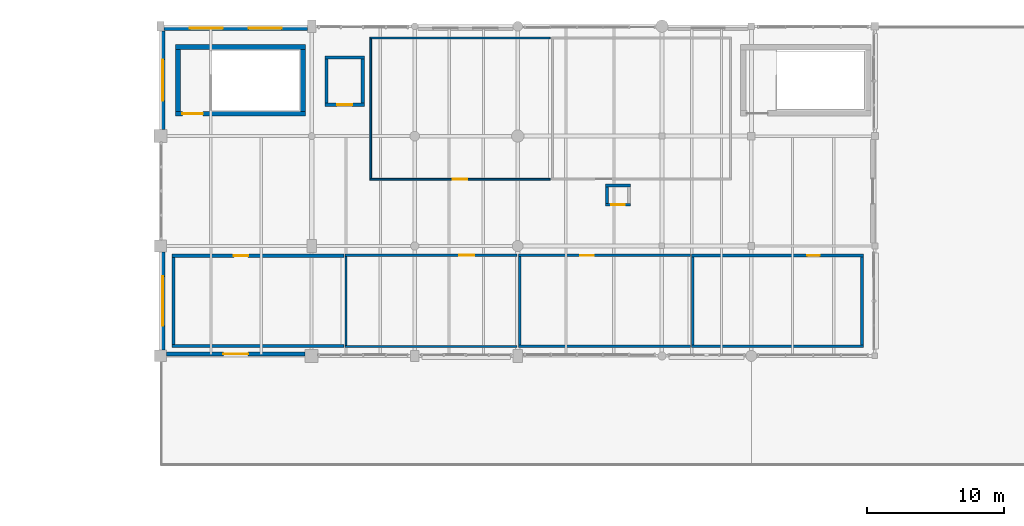
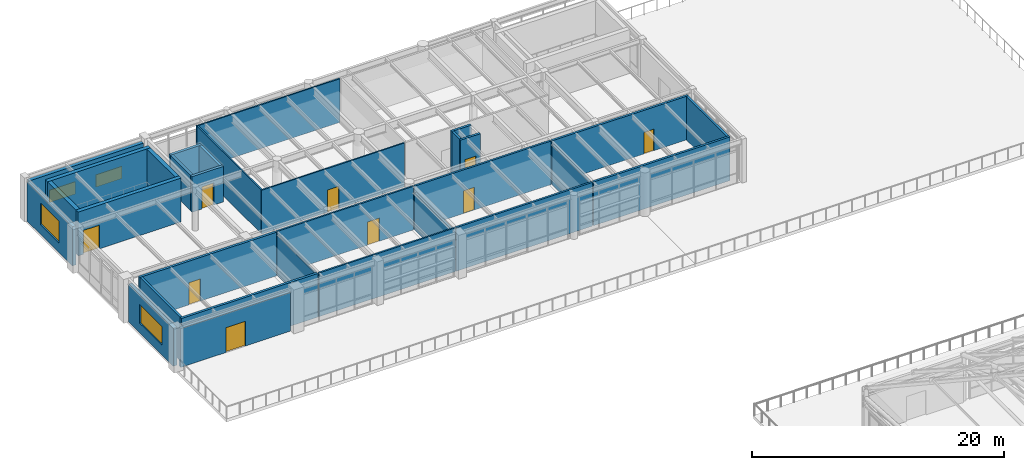
# One storey, part 152 of 168: 31 walls, 9 doors, 4 windows, 13 openings.
"""IFC4 building model written with IfcOpenShell, lengths in metres."""

import ifcopenshell
import ifcopenshell.guid

model = None  # the IFC model being written
_history = None  # IfcOwnerHistory: only IFC2X3 demands one
_inside = {}  # id of a spatial element -> (the spatial element, [elements in it])
_under = {}  # id of a project, library or spatial element -> (it, [spatial elements below it])
_declared = {}  # id of a project -> (the project, [libraries it declares])
_typed = {}  # id of a type object -> (the type object, [elements of that type])
_made_of = {}  # id of a material, layer set ... -> (it, [elements and type objects made of it])


def new_model(schema):
    """Start an empty IFC model of exactly this schema.

    Asked for "IFC4X3", IfcOpenShell would pick the latest addendum, in which some entities
    have other attributes; the version numbers below select the first issue.
    IFC2X3 requires an IfcOwnerHistory on every rooted entity: one is made here for all.
    """
    global model, _history
    if schema == "IFC4X3":
        model = ifcopenshell.file(schema_version=(4, 3, 0, 0))
    else:
        model = ifcopenshell.file(schema=schema)
    _inside.clear()
    _under.clear()
    _declared.clear()
    _typed.clear()
    _made_of.clear()
    _history = None
    if model.schema == "IFC2X3":
        org = make("IfcOrganization", Name="unknown")
        user = make(
            "IfcPersonAndOrganization",
            ThePerson=make("IfcPerson", FamilyName="unknown"),
            TheOrganization=org,
        )
        app = make(
            "IfcApplication",
            ApplicationDeveloper=org,
            Version="unknown",
            ApplicationFullName="unknown",
            ApplicationIdentifier="unknown",
        )
        _history = make(
            "IfcOwnerHistory",
            OwningUser=user,
            OwningApplication=app,
            ChangeAction="ADDED",
            CreationDate=0,
        )
    return model


def make(cls, **values):
    """One entity of the class cls with the attributes given. An attribute that is None is left unset."""
    return model.create_entity(
        cls, **{name: value for name, value in values.items() if value is not None}
    )


def rooted(cls, **values):
    """An entity with a GlobalId (a new one), such as an element, a storey or a relation."""
    return make(cls, GlobalId=ifcopenshell.guid.new(), OwnerHistory=_history, **values)


def si_unit(unit_type, name, prefix=None):
    """IfcSIUnit, for example si_unit("LENGTHUNIT", "METRE", prefix="MILLI")."""
    return make("IfcSIUnit", UnitType=unit_type, Prefix=prefix, Name=name)


def assignment(units):
    """IfcUnitAssignment: the units of a project."""
    return None if units is None else make("IfcUnitAssignment", Units=units)


def point(xyz):
    """IfcCartesianPoint."""
    return None if xyz is None else make("IfcCartesianPoint", Coordinates=xyz)


def direction(xyz):
    """IfcDirection."""
    return None if xyz is None else make("IfcDirection", DirectionRatios=xyz)


def frame(location, z_axis=None, x_axis=None):
    """IfcAxis2Placement3D, a coordinate frame: its origin and axes. An axis left out is left unset."""
    return make(
        "IfcAxis2Placement3D",
        Location=point(location),
        Axis=direction(z_axis),
        RefDirection=direction(x_axis),
    )


def frame_2d(location, x_axis=None):
    """IfcAxis2Placement2D, a coordinate frame in the plane: its origin and x axis."""
    return make(
        "IfcAxis2Placement2D", Location=point(location), RefDirection=direction(x_axis)
    )


def origin():
    """The frame at (0, 0, 0) with its axes left unset."""
    return frame((0.0, 0.0, 0.0))


def place(relative_to, where):
    """IfcLocalPlacement: puts the frame where relative to a parent placement (None: the world)."""
    return make(
        "IfcLocalPlacement", PlacementRelTo=relative_to, RelativePlacement=where
    )


def context(
    kind, dimensions, precision=None, world=None, true_north=None, identifier=None
):
    """IfcGeometricRepresentationContext, for example the 3D "Model" context."""
    return make(
        "IfcGeometricRepresentationContext",
        ContextIdentifier=identifier,
        ContextType=kind,
        CoordinateSpaceDimension=dimensions,
        Precision=precision,
        WorldCoordinateSystem=world,
        TrueNorth=true_north,
    )


def subcontext(parent, identifier, kind, view, scale=None):
    """IfcGeometricRepresentationSubContext, for example "Body" below "Model"."""
    return make(
        "IfcGeometricRepresentationSubContext",
        ContextIdentifier=identifier,
        ContextType=kind,
        ParentContext=parent,
        TargetScale=scale,
        TargetView=view,
    )


def project(units=None, contexts=None):
    """IfcProject with its units and contexts."""
    return rooted(
        "IfcProject",
        Name="project",
        RepresentationContexts=contexts,
        UnitsInContext=assignment(units),
    )


def spatial(cls, under=None, at=None, **own):
    """A site, building, storey or space (cls), placed at a placement, below another one or the project."""
    s = rooted(cls, ObjectPlacement=at, **own)
    if under is not None:
        _under.setdefault(under.id(), (under, []))[1].append(s)
    return s


def profile(cls, at=None, kind="AREA", **sizes):
    """A parametric profile (cls). Its sizes go by their IFC names, for example OverallWidth=200.0."""
    return make(cls, ProfileType=kind, Position=at, **sizes)


def rectangle(**sizes):
    """IfcRectangleProfileDef."""
    return profile("IfcRectangleProfileDef", **sizes)


def extrude(swept, where, along, depth):
    """IfcExtrudedAreaSolid: the profile swept, set in the frame where, extruded along a direction by depth."""
    return make(
        "IfcExtrudedAreaSolid",
        SweptArea=swept,
        Position=where,
        ExtrudedDirection=direction(along),
        Depth=depth,
    )


def shape(context_of_items, identifier, shape_type, items):
    """IfcShapeRepresentation: the items that make up one representation, for example the "Body"."""
    return make(
        "IfcShapeRepresentation",
        ContextOfItems=context_of_items,
        RepresentationIdentifier=identifier,
        RepresentationType=shape_type,
        Items=items,
    )


def material(Name=None, Category=None):
    """IfcMaterial."""
    return make("IfcMaterial", Name=Name, Category=Category)


def layer(
    of_material, thickness, ventilated=None, Name=None, Category=None, Priority=None
):
    """IfcMaterialLayer: one layer of a wall or slab, of a material (None: an air gap)."""
    return make(
        "IfcMaterialLayer",
        Material=of_material,
        LayerThickness=thickness,
        IsVentilated=ventilated,
        Name=Name,
        Category=Category,
        Priority=Priority,
    )


def layer_set(layers, Name=None):
    """IfcMaterialLayerSet."""
    return make("IfcMaterialLayerSet", MaterialLayers=layers, LayerSetName=Name)


def made_of(thing, what):
    """Note that an element or type object is made of a material, layer set ...; save() writes the relation."""
    if what is not None:
        _made_of.setdefault(what.id(), (what, []))[1].append(thing)
    return thing


def type_object(cls, material=None, **own):
    """A type object (cls), such as IfcWallType, which elements share."""
    return made_of(rooted(cls, **own), material)


def element(
    cls,
    number,
    at=None,
    inside=None,
    cuts=None,
    type_object=None,
    material=None,
    context=None,
    identifier="Body",
    shape_type=None,
    held_by="IfcProductDefinitionShape",
    body=None,
    shapes=None,
    **own,
):
    """One element of the class cls, such as IfcWall. Its Tag is "e" and its number.

    at: its placement. inside: the storey or other place that contains it. cuts: it is an
    opening in that element (IfcRelVoidsElement). A single representation is given by context,
    identifier, shape_type and body (its items); several are given by shapes. held_by: the class
    of the entity that holds the representations. save() writes the other relations.
    """
    e = rooted(cls, Tag="e%d" % number, ObjectPlacement=at, **own)
    if body is not None:
        shapes = [shape(context, identifier, shape_type, body)]
    if shapes is not None:
        e.Representation = make(held_by, Representations=shapes)
    if inside is not None:
        _inside.setdefault(inside.id(), (inside, []))[1].append(e)
    if cuts is not None:
        rooted(
            "IfcRelVoidsElement", RelatingBuildingElement=cuts, RelatedOpeningElement=e
        )
    if type_object is not None:
        _typed.setdefault(type_object.id(), (type_object, []))[1].append(e)
    return made_of(e, material)


def fill(opening, filler):
    """IfcRelFillsElement: the door or window that sits in an opening."""
    return rooted(
        "IfcRelFillsElement",
        RelatingOpeningElement=opening,
        RelatedBuildingElement=filler,
    )


def aggregate(whole, parts):
    """IfcRelAggregates: a whole, such as a stair, and the parts it consists of."""
    return rooted("IfcRelAggregates", RelatingObject=whole, RelatedObjects=parts)


def save(model, path):
    """Write the relations noted so far, then the file.

    IfcRelAggregates (storeys below a building ...), IfcRelContainedInSpatialStructure (elements
    in a storey), IfcRelDefinesByType, IfcRelAssociatesMaterial and IfcRelDeclares: one each for
    every whole, place, type object, material and project.
    """
    for whole, parts in _under.values():
        aggregate(whole, parts)
    for where, things in _inside.values():
        rooted(
            "IfcRelContainedInSpatialStructure",
            RelatedElements=things,
            RelatingStructure=where,
        )
    for kind, things in _typed.values():
        rooted("IfcRelDefinesByType", RelatedObjects=things, RelatingType=kind)
    for what, things in _made_of.values():
        rooted("IfcRelAssociatesMaterial", RelatedObjects=things, RelatingMaterial=what)
    for by, libraries in _declared.values():
        rooted("IfcRelDeclares", RelatingContext=by, RelatedDefinitions=libraries)
    model.write(path)


model = new_model("IFC4")

# Units and contexts
model_context = context("Model", 3, precision=1e-05, world=origin(), true_north=direction((0.0, 1.0)))
body_context = subcontext(model_context, "Body", "Model", "MODEL_VIEW")
ifc_project = project(units=[si_unit("LENGTHUNIT", "METRE"), si_unit("AREAUNIT", "SQUARE_METRE"), si_unit("VOLUMEUNIT", "CUBIC_METRE"), si_unit("PLANEANGLEUNIT", "RADIAN"), si_unit("MASSUNIT", "GRAM", prefix="KILO"), si_unit("THERMODYNAMICTEMPERATUREUNIT", "KELVIN"), si_unit("POWERUNIT", "WATT")], contexts=[model_context])

# Site, building, storey
site_placement = place(None, origin())
site = spatial("IfcSite", under=ifc_project, at=site_placement, CompositionType="ELEMENT")
building_placement = place(site_placement, origin())
building = spatial("IfcBuilding", under=site, at=building_placement, Name="Tepalcoro Natatorium and Aquatics Centre", CompositionType="ELEMENT")
storey_placement = place(building_placement, frame((0.0, 0.0, 10.199951171875)))
storey = spatial("IfcBuildingStorey", under=building, at=storey_placement, Name="L02", CompositionType="ELEMENT", Elevation=10.199951171875)

# Wall, opening, door
ifc_material_1 = material(Name="Precast Concrete C45/55 (fc 45 MPa)", Category="concrete")
ifc_layer_1 = layer(ifc_material_1, 0.284912109375)
ifc_layer_set_1 = layer_set([ifc_layer_1], Name="Precast Concrete C45/55 (fc 45 MPa)")
wall_type_1 = type_object("IfcWallType", Name="WL_EXT_INSUL_280", PredefinedType="SOLIDWALL", material=ifc_layer_set_1)
wall_1_placement = place(storey_placement, frame((10.428955078125, 94.142578125, 0.0), z_axis=(0.0, 0.0, 1.0), x_axis=(1.0, 0.0, 0.0)))
wall_1 = element("IfcWall", 1, at=wall_1_placement, inside=storey, type_object=wall_type_1, Name="V4 L02 S Volcanic Basalt Envelope Wall", PredefinedType="SOLIDWALL", context=body_context, shape_type="SweptSolid", body=[
    extrude(rectangle(XDim=10.092041015625, YDim=0.284912109375, at=frame_2d((5.0458984375, 0.0))), origin(), (0.0, 0.0, 1.0), 3.760009765625),
])
opening_1_placement = place(wall_1_placement, frame((4.14599609375, 0.0, 0.0)))
opening_1 = element("IfcOpeningElement", 2, at=opening_1_placement, cuts=wall_1, Name="Opening ED5037", PredefinedType="OPENING", context=body_context, shape_type="SweptSolid", body=[
    extrude(rectangle(XDim=1.800048828125, YDim=2.39990234375, at=frame_2d((0.89990234375, 1.199951171875))), frame((0.0, 0.154296875, 0.0), z_axis=(0.0, -1.0, 0.0), x_axis=(1.0, 0.0, 0.0)), (0.0, 0.0, 1.0), 0.308837890625),
])
ifc_material_2 = material(Name="Bronze-Anodised Extruded Aluminium Alloy EN AW-6063 T6", Category="aluminium")
door_type_1 = type_object("IfcDoorType", Name="DR_180x240_TERR", OperationType="NOTDEFINED", PredefinedType="DOOR", material=ifc_material_2)
door_1_placement = place(opening_1_placement, frame((1.800048828125, 0.0, 0.0), z_axis=(0.0, 0.0, 1.0), x_axis=(-1.0, 0.0, 0.0)))
door_1 = element("IfcDoor", 3, at=door_1_placement, inside=storey, type_object=door_type_1, Name="V4 L02 Recovery Terrace Door S", OperationType="DOUBLE_DOOR_SINGLE_SWING", OverallHeight=2.39990234375, OverallWidth=1.800048828125, PredefinedType="DOOR", context=body_context, shape_type="SweptSolid", body=[
    extrude(rectangle(XDim=1.800048828125, YDim=2.39990234375, at=frame_2d((0.89990234375, 1.199951171875))), frame((0.0, 0.02490234375, 0.0), z_axis=(0.0, -1.0, 0.0), x_axis=(1.0, 0.0, 0.0)), (0.0, 0.0, 1.0), 0.050048828125),
])
fill(opening_1, door_1)

# Wall, openings, windows
ifc_material_3 = material(Name="Jalisco Cantera Rosa Volcanic Tuff Ashlar Masonry", Category="masonry")
ifc_layer_2 = layer(ifc_material_3, 0.320068359375)
ifc_layer_set_2 = layer_set([ifc_layer_2], Name="Jalisco Cantera Rosa Volcanic Tuff Ashlar Masonry")
wall_type_2 = type_object("IfcWallType", Name="WL_EXT_STONE_320", PredefinedType="SOLIDWALL", material=ifc_layer_set_2)
wall_2_placement = place(storey_placement, frame((10.25390625, 117.840087890625, 0.0), z_axis=(0.0, 0.0, 1.0), x_axis=(1.0, 0.0, 0.0)))
wall_2 = element("IfcWall", 4, at=wall_2_placement, inside=storey, type_object=wall_type_2, Name="V4 L02 N Volcanic Basalt Envelope Wall", PredefinedType="SOLIDWALL", context=body_context, shape_type="SweptSolid", body=[
    extrude(rectangle(XDim=10.442138671875, YDim=0.320068359375, at=frame_2d((5.22119140625, 0.0))), origin(), (0.0, 0.0, 1.0), 3.80712890625),
])
opening_2_placement = place(wall_2_placement, frame((1.880615234375, 0.0, 0.949951171875)))
opening_2 = element("IfcOpeningElement", 5, at=opening_2_placement, cuts=wall_2, Name="Opening W0078A", PredefinedType="OPENING", context=body_context, shape_type="SweptSolid", body=[
    extrude(rectangle(XDim=2.39990234375, YDim=1.199951171875, at=frame_2d((1.199951171875, 0.60009765625))), frame((0.0, 0.171875, 0.0), z_axis=(0.0, -1.0, 0.0), x_axis=(1.0, 0.0, 0.0)), (0.0, 0.0, 1.0), 0.343994140625),
])
opening_3_placement = place(wall_2_placement, frame((6.161376953125, 0.0, 0.949951171875)))
opening_3 = element("IfcOpeningElement", 6, at=opening_3_placement, cuts=wall_2, Name="Opening W0078B", PredefinedType="OPENING", context=body_context, shape_type="SweptSolid", body=[
    extrude(rectangle(XDim=2.39990234375, YDim=1.199951171875, at=frame_2d((1.199951171875, 0.60009765625))), frame((0.0, 0.171875, 0.0), z_axis=(0.0, -1.0, 0.0), x_axis=(1.0, 0.0, 0.0)), (0.0, 0.0, 1.0), 0.343994140625),
])
ifc_material_4 = material(Name="Solar-Control Bronze Tempered Low-E Double Glazing", Category="glass")
window_type_1 = type_object("IfcWindowType", Name="WN_240x120", PartitioningType="SINGLE_PANEL", PredefinedType="WINDOW", material=ifc_material_4)
window_1_placement = place(opening_2_placement, origin())
window_1 = element("IfcWindow", 7, at=window_1_placement, inside=storey, type_object=window_type_1, Name="Exterior Thermal Window WN_240x120", OverallHeight=1.199951171875, OverallWidth=2.39990234375, PartitioningType="SINGLE_PANEL", PredefinedType="WINDOW", context=body_context, shape_type="SweptSolid", body=[
    extrude(rectangle(XDim=2.39990234375, YDim=1.199951171875, at=frame_2d((1.199951171875, 0.60009765625))), frame((0.0, 0.030029296875, 0.0), z_axis=(0.0, -1.0, 0.0), x_axis=(1.0, 0.0, 0.0)), (0.0, 0.0, 1.0), 0.06005859375),
])
fill(opening_2, window_1)
window_2_placement = place(opening_3_placement, origin())
window_2 = element("IfcWindow", 8, at=window_2_placement, inside=storey, type_object=window_type_1, Name="Exterior Thermal Window WN_240x120", OverallHeight=1.199951171875, OverallWidth=2.39990234375, PartitioningType="SINGLE_PANEL", PredefinedType="WINDOW", context=body_context, shape_type="SweptSolid", body=[
    extrude(rectangle(XDim=2.39990234375, YDim=1.199951171875, at=frame_2d((1.199951171875, 0.60009765625))), frame((0.0, 0.030029296875, 0.0), z_axis=(0.0, -1.0, 0.0), x_axis=(1.0, 0.0, 0.0)), (0.0, 0.0, 1.0), 0.06005859375),
])
fill(opening_3, window_2)

# Wall, opening, window
wall_3_placement = place(storey_placement, frame((10.159912109375, 94.428955078125, 0.0), z_axis=(0.0, 0.0, 1.0), x_axis=(0.0, 1.0, 0.0)))
wall_3 = element("IfcWall", 9, at=wall_3_placement, inside=storey, type_object=wall_type_2, Name="V4 L02 W Volcanic Basalt Envelope Wall", PredefinedType="SOLIDWALL", context=body_context, shape_type="SweptSolid", body=[
    extrude(rectangle(XDim=7.116943359375, YDim=0.320068359375, at=frame_2d((3.55859375, 0.0))), origin(), (0.0, 0.0, 1.0), 3.68408203125),
])
opening_4_placement = place(wall_3_placement, frame((1.758544921875, 0.0, 0.949951171875)))
opening_4 = element("IfcOpeningElement", 10, at=opening_4_placement, cuts=wall_3, Name="Opening W0081", PredefinedType="OPENING", context=body_context, shape_type="SweptSolid", body=[
    extrude(rectangle(XDim=3.60009765625, YDim=1.800048828125, at=frame_2d((1.800048828125, 0.89990234375))), frame((0.0, 0.171875, 0.0), z_axis=(0.0, -1.0, 0.0), x_axis=(1.0, 0.0, 0.0)), (0.0, 0.0, 1.0), 0.343994140625),
])
window_type_2 = type_object("IfcWindowType", Name="WN_360x180", PartitioningType="SINGLE_PANEL", PredefinedType="WINDOW", material=ifc_material_4)
window_3_placement = place(opening_4_placement, origin())
window_3 = element("IfcWindow", 11, at=window_3_placement, inside=storey, type_object=window_type_2, Name="Exterior Thermal Window WN_360x180", OverallHeight=1.800048828125, OverallWidth=3.60009765625, PartitioningType="SINGLE_PANEL", PredefinedType="WINDOW", context=body_context, shape_type="SweptSolid", body=[
    extrude(rectangle(XDim=3.60009765625, YDim=1.800048828125, at=frame_2d((1.800048828125, 0.89990234375))), frame((0.0, 0.030029296875, 0.0), z_axis=(0.0, -1.0, 0.0), x_axis=(1.0, 0.0, 0.0)), (0.0, 0.0, 1.0), 0.06005859375),
])
fill(opening_4, window_3)

wall_4_placement = place(storey_placement, frame((10.159912109375, 110.47900390625, 0.0), z_axis=(0.0, 0.0, 1.0), x_axis=(0.0, 1.0, 0.0)))
wall_4 = element("IfcWall", 12, at=wall_4_placement, inside=storey, type_object=wall_type_2, Name="V4 L02 W Volcanic Basalt Envelope Wall", PredefinedType="SOLIDWALL", context=body_context, shape_type="SweptSolid", body=[
    extrude(rectangle(XDim=7.1669921875, YDim=0.320068359375, at=frame_2d((3.58349609375, 0.0))), origin(), (0.0, 0.0, 1.0), 3.80712890625),
])
opening_5_placement = place(wall_4_placement, frame((2.08349609375, 0.0, 0.949951171875)))
opening_5 = element("IfcOpeningElement", 13, at=opening_5_placement, cuts=wall_4, Name="Opening W0082", PredefinedType="OPENING", context=body_context, shape_type="SweptSolid", body=[
    extrude(rectangle(XDim=3.0, YDim=2.10009765625, at=frame_2d((1.5, 1.050048828125))), frame((0.0, 0.171875, 0.0), z_axis=(0.0, -1.0, 0.0), x_axis=(1.0, 0.0, 0.0)), (0.0, 0.0, 1.0), 0.343994140625),
])
window_type_3 = type_object("IfcWindowType", Name="WN_300x210", PartitioningType="SINGLE_PANEL", PredefinedType="WINDOW", material=ifc_material_4)
window_4_placement = place(opening_5_placement, origin())
window_4 = element("IfcWindow", 14, at=window_4_placement, inside=storey, type_object=window_type_3, Name="Exterior Thermal Window WN_300x210", OverallHeight=2.10009765625, OverallWidth=3.0, PartitioningType="SINGLE_PANEL", PredefinedType="WINDOW", context=body_context, shape_type="SweptSolid", body=[
    extrude(rectangle(XDim=3.0, YDim=2.10009765625, at=frame_2d((1.5, 1.050048828125))), frame((0.0, 0.030029296875, 0.0), z_axis=(0.0, -1.0, 0.0), x_axis=(1.0, 0.0, 0.0)), (0.0, 0.0, 1.0), 0.06005859375),
])
fill(opening_5, window_4)

# Wall, opening, door
ifc_material_5 = material(Name="Moisture-Resistant Acoustic Gypsum Drywall on Cold-Formed Metal Studs")
ifc_layer_3 = layer(ifc_material_5, 0.125)
ifc_layer_set_3 = layer_set([ifc_layer_3], Name="Moisture-Resistant Acoustic Gypsum Drywall on Cold-Formed Metal Studs")
wall_type_3 = type_object("IfcWallType", Name="WL_PART_125", PredefinedType="PARTITIONING", material=ifc_layer_set_3)
wall_5_placement = place(storey_placement, frame((25.239990234375, 106.862548828125, 0.0), z_axis=(0.0, 0.0, 1.0), x_axis=(1.0, 0.0, 0.0)))
wall_5 = element("IfcWall", 15, at=wall_5_placement, inside=storey, type_object=wall_type_3, Name="Cardiopulmonary VO2-Max & Lactate Testing Lab Partition S", PredefinedType="PARTITIONING", context=body_context, shape_type="SweptSolid", body=[
    extrude(rectangle(XDim=13.1201171875, YDim=0.125, at=frame_2d((6.56005859375, 0.0))), origin(), (0.0, 0.0, 1.0), 4.235107421875),
])
opening_6_placement = place(wall_5_placement, frame((6.034912109375, 0.0, 0.0)))
opening_6 = element("IfcOpeningElement", 16, at=opening_6_placement, cuts=wall_5, Name="Opening D0166", PredefinedType="OPENING", context=body_context, shape_type="SweptSolid", body=[
    extrude(rectangle(XDim=1.050048828125, YDim=2.14990234375, at=frame_2d((0.52490234375, 1.074951171875))), frame((0.0, 0.074462890625, 0.0), z_axis=(0.0, -1.0, 0.0), x_axis=(1.0, 0.0, 0.0)), (0.0, 0.0, 1.0), 0.14892578125),
])
ifc_material_6 = material(Name="Solid-Core Moisture-Sealed Oak Timber Leaf in Aluminium Frame", Category="wood")
door_type_2 = type_object("IfcDoorType", Name="DR_105x215_ACC", OperationType="NOTDEFINED", PredefinedType="DOOR", material=ifc_material_6)
door_2_placement = place(opening_6_placement, origin())
door_2 = element("IfcDoor", 17, at=door_2_placement, inside=storey, type_object=door_type_2, Name="Cardiopulmonary VO2-Max & Lactate Testing Lab Door", OperationType="SINGLE_SWING_RIGHT", OverallHeight=2.14990234375, OverallWidth=1.050048828125, PredefinedType="DOOR", context=body_context, shape_type="SweptSolid", body=[
    extrude(rectangle(XDim=1.050048828125, YDim=2.14990234375, at=frame_2d((0.52490234375, 1.074951171875))), frame((0.0, 0.02490234375, 0.0), z_axis=(0.0, -1.0, 0.0), x_axis=(1.0, 0.0, 0.0)), (0.0, 0.0, 1.0), 0.050048828125),
])
fill(opening_6, door_2)

# Walls
wall_6_placement = place(storey_placement, frame((25.239990234375, 117.137451171875, 0.0), z_axis=(0.0, 0.0, 1.0), x_axis=(1.0, 0.0, 0.0)))
element("IfcWall", 18, at=wall_6_placement, inside=storey, type_object=wall_type_3, Name="Cardiopulmonary VO2-Max & Lactate Testing Lab Partition N", PredefinedType="PARTITIONING", context=body_context, shape_type="SweptSolid", body=[
    extrude(rectangle(XDim=13.1201171875, YDim=0.125, at=frame_2d((6.56005859375, 0.0))), origin(), (0.0, 0.0, 1.0), 4.235107421875),
])
wall_7_placement = place(storey_placement, frame((25.302490234375, 106.925048828125, 0.0), z_axis=(0.0, 0.0, 1.0), x_axis=(0.0, 1.0, 0.0)))
element("IfcWall", 19, at=wall_7_placement, inside=storey, type_object=wall_type_3, Name="Cardiopulmonary VO2-Max & Lactate Testing Lab Partition W", PredefinedType="PARTITIONING", context=body_context, shape_type="SweptSolid", body=[
    extrude(rectangle(XDim=10.14990234375, YDim=0.125, at=frame_2d((5.074951171875, 0.0))), origin(), (0.0, 0.0, 1.0), 4.235107421875),
])
ifc_layer_4 = layer(ifc_material_5, 0.14990234375)
ifc_layer_set_4 = layer_set([ifc_layer_4], Name="Moisture-Resistant Acoustic Gypsum Drywall on Cold-Formed Metal Studs")
wall_type_4 = type_object("IfcWallType", Name="WL_PART_150_AC", PredefinedType="PARTITIONING", material=ifc_layer_set_4)
wall_8_placement = place(storey_placement, frame((23.43994140625, 94.675048828125, 0.0), z_axis=(0.0, 0.0, 1.0), x_axis=(1.0, 0.0, 0.0)))
element("IfcWall", 20, at=wall_8_placement, inside=storey, type_object=wall_type_4, Name="Athlete Sleep-Pod & Nap Recovery Suites 1-4 Partition S", PredefinedType="PARTITIONING", context=body_context, shape_type="SweptSolid", body=[
    extrude(rectangle(XDim=12.52001953125, YDim=0.14990234375, at=frame_2d((6.260009765625, 0.0))), origin(), (0.0, 0.0, 1.0), 4.235107421875),
])

# Wall, opening, door
wall_9_placement = place(storey_placement, frame((23.43994140625, 101.324951171875, 0.0), z_axis=(0.0, 0.0, 1.0), x_axis=(1.0, 0.0, 0.0)))
wall_9 = element("IfcWall", 21, at=wall_9_placement, inside=storey, type_object=wall_type_4, Name="Athlete Sleep-Pod & Nap Recovery Suites 1-4 Partition N", PredefinedType="PARTITIONING", context=body_context, shape_type="SweptSolid", body=[
    extrude(rectangle(XDim=12.52001953125, YDim=0.14990234375, at=frame_2d((6.260009765625, 0.0))), origin(), (0.0, 0.0, 1.0), 4.235107421875),
])
opening_7_placement = place(wall_9_placement, frame((8.2900390625, 0.0, 0.0)))
opening_7 = element("IfcOpeningElement", 22, at=opening_7_placement, cuts=wall_9, Name="Opening D0163", PredefinedType="OPENING", context=body_context, shape_type="SweptSolid", body=[
    extrude(rectangle(XDim=1.10009765625, YDim=2.25, at=frame_2d((0.550048828125, 1.125))), frame((0.0, 0.0869140625, 0.0), z_axis=(0.0, -1.0, 0.0), x_axis=(1.0, 0.0, 0.0)), (0.0, 0.0, 1.0), 0.173828125),
])
door_type_3 = type_object("IfcDoorType", Name="DR_110x225", OperationType="NOTDEFINED", PredefinedType="DOOR", material=ifc_material_6)
door_3_placement = place(opening_7_placement, frame((1.10009765625, 0.0, 0.0), z_axis=(0.0, 0.0, 1.0), x_axis=(-1.0, 0.0, 0.0)))
door_3 = element("IfcDoor", 23, at=door_3_placement, inside=storey, type_object=door_type_3, Name="Athlete Sleep-Pod & Nap Recovery Suites 1-4 Door", OperationType="SINGLE_SWING_LEFT", OverallHeight=2.25, OverallWidth=1.10009765625, PredefinedType="DOOR", context=body_context, shape_type="SweptSolid", body=[
    extrude(rectangle(XDim=1.10009765625, YDim=2.25, at=frame_2d((0.550048828125, 1.125))), frame((0.0, 0.02490234375, 0.0), z_axis=(0.0, -1.0, 0.0), x_axis=(1.0, 0.0, 0.0)), (0.0, 0.0, 1.0), 0.050048828125),
])
fill(opening_7, door_3)

# Walls
wall_10_placement = place(storey_placement, frame((23.514892578125, 94.75, 0.0), z_axis=(0.0, 0.0, 1.0), x_axis=(0.0, 1.0, 0.0)))
element("IfcWall", 24, at=wall_10_placement, inside=storey, type_object=wall_type_4, Name="Athlete Sleep-Pod & Nap Recovery Suites 1-4 Partition W", PredefinedType="PARTITIONING", context=body_context, shape_type="SweptSolid", body=[
    extrude(rectangle(XDim=6.5, YDim=0.14990234375, at=frame_2d((3.25, 0.0))), origin(), (0.0, 0.0, 1.0), 3.869140625),
])
ifc_layer_5 = layer(ifc_material_5, 0.179931640625)
ifc_layer_set_5 = layer_set([ifc_layer_5], Name="Moisture-Resistant Acoustic Gypsum Drywall on Cold-Formed Metal Studs")
wall_type_5 = type_object("IfcWallType", Name="WL_PART_180_AC", PredefinedType="PARTITIONING", material=ifc_layer_set_5)
wall_11_placement = place(storey_placement, frame((36.0400390625, 94.68994140625, 0.0), z_axis=(0.0, 0.0, 1.0), x_axis=(1.0, 0.0, 0.0)))
element("IfcWall", 25, at=wall_11_placement, inside=storey, type_object=wall_type_5, Name="Team Tactical Briefing & Video Analysis Room Partition S", PredefinedType="PARTITIONING", context=body_context, shape_type="SweptSolid", body=[
    extrude(rectangle(XDim=12.52001953125, YDim=0.179931640625, at=frame_2d((6.260009765625, 0.0))), origin(), (0.0, 0.0, 1.0), 4.235107421875),
])

# Wall, opening, door
wall_12_placement = place(storey_placement, frame((36.0400390625, 101.31005859375, 0.0), z_axis=(0.0, 0.0, 1.0), x_axis=(1.0, 0.0, 0.0)))
wall_12 = element("IfcWall", 26, at=wall_12_placement, inside=storey, type_object=wall_type_5, Name="Team Tactical Briefing & Video Analysis Room Partition N", PredefinedType="PARTITIONING", context=body_context, shape_type="SweptSolid", body=[
    extrude(rectangle(XDim=12.52001953125, YDim=0.179931640625, at=frame_2d((6.260009765625, 0.0))), origin(), (0.0, 0.0, 1.0), 4.235107421875),
])
opening_8_placement = place(wall_12_placement, frame((4.509521484375, 0.0, 0.0)))
opening_8 = element("IfcOpeningElement", 27, at=opening_8_placement, cuts=wall_12, Name="Opening D0164", PredefinedType="OPENING", context=body_context, shape_type="SweptSolid", body=[
    extrude(rectangle(XDim=1.0, YDim=2.199951171875, at=frame_2d((0.5, 1.10009765625))), frame((0.0, 0.10205078125, 0.0), z_axis=(0.0, -1.0, 0.0), x_axis=(1.0, 0.0, 0.0)), (0.0, 0.0, 1.0), 0.203857421875),
])
ifc_material_7 = material(Name="Galvanised Steel Insulated Acoustic Fire Door Assembly", Category="steel")
door_type_4 = type_object("IfcDoorType", Name="DR_100x220_FD60", OperationType="NOTDEFINED", PredefinedType="DOOR", material=ifc_material_7)
door_4_placement = place(opening_8_placement, frame((1.0, 0.0, 0.0), z_axis=(0.0, 0.0, 1.0), x_axis=(-1.0, 0.0, 0.0)))
door_4 = element("IfcDoor", 28, at=door_4_placement, inside=storey, type_object=door_type_4, Name="Team Tactical Briefing & Video Analysis Room Door", OperationType="SINGLE_SWING_RIGHT", OverallHeight=2.199951171875, OverallWidth=1.0, PredefinedType="DOOR", context=body_context, shape_type="SweptSolid", body=[
    extrude(rectangle(XDim=1.0, YDim=2.199951171875, at=frame_2d((0.5, 1.10009765625))), frame((0.0, 0.02490234375, 0.0), z_axis=(0.0, -1.0, 0.0), x_axis=(1.0, 0.0, 0.0)), (0.0, 0.0, 1.0), 0.050048828125),
])
fill(opening_8, door_4)

# Walls
wall_13_placement = place(storey_placement, frame((36.1298828125, 94.780029296875, 0.0), z_axis=(0.0, 0.0, 1.0), x_axis=(0.0, 1.0, 0.0)))
element("IfcWall", 29, at=wall_13_placement, inside=storey, type_object=wall_type_5, Name="Team Tactical Briefing & Video Analysis Room Partition W", PredefinedType="PARTITIONING", context=body_context, shape_type="SweptSolid", body=[
    extrude(rectangle(XDim=6.43994140625, YDim=0.179931640625, at=frame_2d((3.219970703125, 0.0))), origin(), (0.0, 0.0, 1.0), 3.60302734375),
])
ifc_material_8 = material(Name="Ceramic-Tiled Moisture-Resistant Masonry Blockwork", Category="masonry")
ifc_layer_6 = layer(ifc_material_8, 0.199951171875)
ifc_layer_set_6 = layer_set([ifc_layer_6], Name="Ceramic-Tiled Moisture-Resistant Masonry Blockwork")
wall_type_6 = type_object("IfcWallType", Name="WL_PLUMB_200", PredefinedType="PLUMBINGWALL", material=ifc_layer_set_6)
wall_14_placement = place(storey_placement, frame((48.639892578125, 94.699951171875, 0.0), z_axis=(0.0, 0.0, 1.0), x_axis=(1.0, 0.0, 0.0)))
element("IfcWall", 30, at=wall_14_placement, inside=storey, type_object=wall_type_6, Name="L02 Recovery Wing Male/Female & Accessible WC Partition S", PredefinedType="PLUMBINGWALL", context=body_context, shape_type="SweptSolid", body=[
    extrude(rectangle(XDim=12.52001953125, YDim=0.199951171875, at=frame_2d((6.260009765625, 0.0))), origin(), (0.0, 0.0, 1.0), 4.235107421875),
])

# Wall, opening, door
wall_15_placement = place(storey_placement, frame((48.639892578125, 101.300048828125, 0.0), z_axis=(0.0, 0.0, 1.0), x_axis=(1.0, 0.0, 0.0)))
wall_15 = element("IfcWall", 31, at=wall_15_placement, inside=storey, type_object=wall_type_6, Name="L02 Recovery Wing Male/Female & Accessible WC Partition N", PredefinedType="PLUMBINGWALL", context=body_context, shape_type="SweptSolid", body=[
    extrude(rectangle(XDim=12.52001953125, YDim=0.199951171875, at=frame_2d((6.260009765625, 0.0))), origin(), (0.0, 0.0, 1.0), 4.235107421875),
])
opening_9_placement = place(wall_15_placement, frame((8.43994140625, 0.0, 0.0)))
opening_9 = element("IfcOpeningElement", 32, at=opening_9_placement, cuts=wall_15, Name="Opening D0165", PredefinedType="OPENING", context=body_context, shape_type="SweptSolid", body=[
    extrude(rectangle(XDim=0.89990234375, YDim=2.10009765625, at=frame_2d((0.449951171875, 1.050048828125))), frame((0.0, 0.11181640625, 0.0), z_axis=(0.0, -1.0, 0.0), x_axis=(1.0, 0.0, 0.0)), (0.0, 0.0, 1.0), 0.223876953125),
])
door_type_5 = type_object("IfcDoorType", Name="DR_095x215_WC", OperationType="NOTDEFINED", PredefinedType="DOOR", material=ifc_material_6)
door_5_placement = place(opening_9_placement, frame((0.89990234375, 0.0, 0.0), z_axis=(0.0, 0.0, 1.0), x_axis=(-1.0, 0.0, 0.0)))
door_5 = element("IfcDoor", 33, at=door_5_placement, inside=storey, type_object=door_type_5, Name="L02 Recovery Wing Male/Female & Accessible WC Door", OperationType="SINGLE_SWING_LEFT", OverallHeight=2.10009765625, OverallWidth=0.89990234375, PredefinedType="DOOR", context=body_context, shape_type="SweptSolid", body=[
    extrude(rectangle(XDim=0.89990234375, YDim=2.10009765625, at=frame_2d((0.449951171875, 1.050048828125))), frame((0.0, 0.02490234375, 0.0), z_axis=(0.0, -1.0, 0.0), x_axis=(1.0, 0.0, 0.0)), (0.0, 0.0, 1.0), 0.050048828125),
])
fill(opening_9, door_5)

# Walls
wall_16_placement = place(storey_placement, frame((61.06005859375, 94.800048828125, 0.0), z_axis=(0.0, 0.0, 1.0), x_axis=(0.0, 1.0, 0.0)))
element("IfcWall", 34, at=wall_16_placement, inside=storey, type_object=wall_type_6, Name="L02 Recovery Wing Male/Female & Accessible WC Partition E", PredefinedType="PLUMBINGWALL", context=body_context, shape_type="SweptSolid", body=[
    extrude(rectangle(XDim=6.39990234375, YDim=0.199951171875, at=frame_2d((3.199951171875, 0.0))), origin(), (0.0, 0.0, 1.0), 4.235107421875),
])
wall_17_placement = place(storey_placement, frame((48.739990234375, 94.800048828125, 0.0), z_axis=(0.0, 0.0, 1.0), x_axis=(0.0, 1.0, 0.0)))
element("IfcWall", 35, at=wall_17_placement, inside=storey, type_object=wall_type_6, Name="L02 Recovery Wing Male/Female & Accessible WC Partition W", PredefinedType="PLUMBINGWALL", context=body_context, shape_type="SweptSolid", body=[
    extrude(rectangle(XDim=6.39990234375, YDim=0.199951171875, at=frame_2d((3.199951171875, 0.0))), origin(), (0.0, 0.0, 1.0), 3.81005859375),
])
ifc_layer_7 = layer(ifc_material_8, 0.219970703125)
ifc_layer_set_7 = layer_set([ifc_layer_7], Name="Ceramic-Tiled Moisture-Resistant Masonry Blockwork")
wall_type_7 = type_object("IfcWallType", Name="WL_PLUMB_220", PredefinedType="PLUMBINGWALL", material=ifc_layer_set_7)
wall_18_placement = place(storey_placement, frame((10.840087890625, 94.7099609375, 0.0), z_axis=(0.0, 0.0, 1.0), x_axis=(1.0, 0.0, 0.0)))
element("IfcWall", 36, at=wall_18_placement, inside=storey, type_object=wall_type_7, Name="Cryotherapy & Contrast Plunge Recovery Suite Partition S", PredefinedType="PLUMBINGWALL", context=body_context, shape_type="SweptSolid", body=[
    extrude(rectangle(XDim=12.52001953125, YDim=0.219970703125, at=frame_2d((6.260009765625, 0.0))), origin(), (0.0, 0.0, 1.0), 4.235107421875),
])

# Wall, opening, door
wall_19_placement = place(storey_placement, frame((10.840087890625, 101.2900390625, 0.0), z_axis=(0.0, 0.0, 1.0), x_axis=(1.0, 0.0, 0.0)))
wall_19 = element("IfcWall", 37, at=wall_19_placement, inside=storey, type_object=wall_type_7, Name="Cryotherapy & Contrast Plunge Recovery Suite Partition N", PredefinedType="PLUMBINGWALL", context=body_context, shape_type="SweptSolid", body=[
    extrude(rectangle(XDim=12.52001953125, YDim=0.219970703125, at=frame_2d((6.260009765625, 0.0))), origin(), (0.0, 0.0, 1.0), 4.235107421875),
])
opening_10_placement = place(wall_19_placement, frame((4.490478515625, 0.0, 0.0)))
opening_10 = element("IfcOpeningElement", 38, at=opening_10_placement, cuts=wall_19, Name="Opening D0162", PredefinedType="OPENING", context=body_context, shape_type="SweptSolid", body=[
    extrude(rectangle(XDim=1.050048828125, YDim=2.14990234375, at=frame_2d((0.52490234375, 1.074951171875))), frame((0.0, 0.1220703125, 0.0), z_axis=(0.0, -1.0, 0.0), x_axis=(1.0, 0.0, 0.0)), (0.0, 0.0, 1.0), 0.243896484375),
])
door_6_placement = place(opening_10_placement, frame((1.050048828125, 0.0, 0.0), z_axis=(0.0, 0.0, 1.0), x_axis=(-1.0, 0.0, 0.0)))
door_6 = element("IfcDoor", 39, at=door_6_placement, inside=storey, type_object=door_type_2, Name="Cryotherapy & Contrast Plunge Recovery Suite Door", OperationType="SINGLE_SWING_RIGHT", OverallHeight=2.14990234375, OverallWidth=1.050048828125, PredefinedType="DOOR", context=body_context, shape_type="SweptSolid", body=[
    extrude(rectangle(XDim=1.050048828125, YDim=2.14990234375, at=frame_2d((0.52490234375, 1.074951171875))), frame((0.0, 0.02490234375, 0.0), z_axis=(0.0, -1.0, 0.0), x_axis=(1.0, 0.0, 0.0)), (0.0, 0.0, 1.0), 0.050048828125),
])
fill(opening_10, door_6)

# Wall
wall_20_placement = place(storey_placement, frame((10.949951171875, 94.820068359375, 0.0), z_axis=(0.0, 0.0, 1.0), x_axis=(0.0, 1.0, 0.0)))
element("IfcWall", 40, at=wall_20_placement, inside=storey, type_object=wall_type_7, Name="Cryotherapy & Contrast Plunge Recovery Suite Partition W", PredefinedType="PLUMBINGWALL", context=body_context, shape_type="SweptSolid", body=[
    extrude(rectangle(XDim=6.35986328125, YDim=0.219970703125, at=frame_2d((3.179931640625, 0.0))), origin(), (0.0, 0.0, 1.0), 4.235107421875),
])

# Wall, opening, door
ifc_material_9 = material(Name="Concrete C40/50 (fc 40 MPa)", Category="concrete")
ifc_layer_8 = layer(ifc_material_9, 0.239990234375)
ifc_layer_set_8 = layer_set([ifc_layer_8], Name="Concrete C40/50 (fc 40 MPa)")
wall_type_8 = type_object("IfcWallType", Name="WL_SHAFT_240", PredefinedType="SOLIDWALL", material=ifc_layer_set_8)
wall_21_placement = place(storey_placement, frame((21.9599609375, 112.280029296875, 0.0), z_axis=(0.0, 0.0, 1.0), x_axis=(1.0, 0.0, 0.0)))
wall_21 = element("IfcWall", 41, at=wall_21_placement, inside=storey, type_object=wall_type_8, Name="LF04 Lift Shaft Wall S L02", PredefinedType="SOLIDWALL", context=body_context, shape_type="SweptSolid", body=[
    extrude(rectangle(XDim=2.880126953125, YDim=0.239990234375, at=frame_2d((1.43994140625, 0.0))), origin(), (0.0, 0.0, 1.0), 3.449951171875),
])
opening_11_placement = place(wall_21_placement, frame((0.889892578125, 0.0, 0.0)))
opening_11 = element("IfcOpeningElement", 42, at=opening_11_placement, cuts=wall_21, Name="Opening LD-LF04-L02", PredefinedType="OPENING", context=body_context, shape_type="SweptSolid", body=[
    extrude(rectangle(XDim=1.10009765625, YDim=2.14990234375, at=frame_2d((0.550048828125, 1.074951171875))), frame((0.0, 0.1318359375, 0.0), z_axis=(0.0, -1.0, 0.0), x_axis=(1.0, 0.0, 0.0)), (0.0, 0.0, 1.0), 0.263916015625),
])
ifc_material_10 = material(Name="Marine-Grade Brushed Stainless Steel AISI 316L", Category="steel")
door_type_6 = type_object("IfcDoorType", Name="DR_110x215_LIFT", OperationType="NOTDEFINED", PredefinedType="USERDEFINED", material=ifc_material_10)
door_7_placement = place(opening_11_placement, origin())
door_7 = element("IfcDoor", 43, at=door_7_placement, inside=storey, type_object=door_type_6, Name="LF04 Lift Landing Sliding Door (L02)", ObjectType="SLIDING LANDING DOOR", OperationType="SLIDING_TO_RIGHT", OverallHeight=2.14990234375, OverallWidth=1.10009765625, PredefinedType="USERDEFINED", context=body_context, shape_type="SweptSolid", body=[
    extrude(rectangle(XDim=1.10009765625, YDim=2.14990234375, at=frame_2d((0.550048828125, 1.074951171875))), frame((0.0, 0.02490234375, 0.0), z_axis=(0.0, -1.0, 0.0), x_axis=(1.0, 0.0, 0.0)), (0.0, 0.0, 1.0), 0.050048828125),
])
fill(opening_11, door_7)

# Walls
wall_22_placement = place(storey_placement, frame((21.9599609375, 115.719970703125, 0.0), z_axis=(0.0, 0.0, 1.0), x_axis=(1.0, 0.0, 0.0)))
element("IfcWall", 44, at=wall_22_placement, inside=storey, type_object=wall_type_8, Name="LF04 Lift Shaft Wall N L02", PredefinedType="SOLIDWALL", context=body_context, shape_type="SweptSolid", body=[
    extrude(rectangle(XDim=2.880126953125, YDim=0.239990234375, at=frame_2d((1.43994140625, 0.0))), origin(), (0.0, 0.0, 1.0), 3.449951171875),
])
for number, where, z_axis, x_axis, name in (
    (45, (22.080078125, 112.39990234375, 0.0), (0.0, 0.0, 1.0), (0.0, 1.0, 0.0), "LF04 Lift Shaft Wall W L02"),
    (46, (24.719970703125, 112.39990234375, 0.0), (0.0, 0.0, 1.0), (0.0, 1.0, 0.0), "LF04 Lift Shaft Wall E L02"),
):
    element("IfcWall", number, at=place(storey_placement, frame(where, z_axis=z_axis, x_axis=x_axis)), inside=storey, type_object=wall_type_8, Name=name, PredefinedType="SOLIDWALL", context=body_context, shape_type="SweptSolid", body=[
        extrude(rectangle(XDim=3.2001953125, YDim=0.239990234375, at=frame_2d((1.60009765625, 0.0))), origin(), (0.0, 0.0, 1.0), 3.449951171875),
    ])

# Wall, opening, door
ifc_layer_9 = layer(ifc_material_9, 0.35009765625)
ifc_layer_set_9 = layer_set([ifc_layer_9], Name="Concrete C40/50 (fc 40 MPa)")
wall_type_9 = type_object("IfcWallType", Name="WL_SHEAR_350", PredefinedType="SHEAR", material=ifc_layer_set_9)
wall_23_placement = place(storey_placement, frame((11.10009765625, 111.625, 0.0), z_axis=(0.0, 0.0, 1.0), x_axis=(1.0, 0.0, 0.0)))
wall_23 = element("IfcWall", 47, at=wall_23_placement, inside=storey, type_object=wall_type_9, Name="ST07 Core Shear Wall S L02", PredefinedType="SHEAR", context=body_context, shape_type="SweptSolid", body=[
    extrude(rectangle(XDim=9.449951171875, YDim=0.35009765625, at=frame_2d((4.72509765625, 0.0))), origin(), (0.0, 0.0, 1.0), 4.25),
])
opening_12_placement = place(wall_23_placement, frame((0.47998046875, 0.0, 0.0)))
opening_12 = element("IfcOpeningElement", 48, at=opening_12_placement, cuts=wall_23, Name="Opening D0028", PredefinedType="OPENING", context=body_context, shape_type="SweptSolid", body=[
    extrude(rectangle(XDim=1.5, YDim=2.300048828125, at=frame_2d((0.75, 1.14990234375))), frame((0.0, 0.18701171875, 0.0), z_axis=(0.0, -1.0, 0.0), x_axis=(1.0, 0.0, 0.0)), (0.0, 0.0, 1.0), 0.3740234375),
])
door_type_7 = type_object("IfcDoorType", Name="DR_150x230_FD60", OperationType="NOTDEFINED", PredefinedType="DOOR", material=ifc_material_7)
door_8_placement = place(opening_12_placement, origin())
door_8 = element("IfcDoor", 49, at=door_8_placement, inside=storey, type_object=door_type_7, Name="ST07 Fire Stair Door (L02)", OperationType="DOUBLE_DOOR_SINGLE_SWING", OverallHeight=2.300048828125, OverallWidth=1.5, PredefinedType="DOOR", context=body_context, shape_type="SweptSolid", body=[
    extrude(rectangle(XDim=1.5, YDim=2.300048828125, at=frame_2d((0.75, 1.14990234375))), frame((0.0, 0.02490234375, 0.0), z_axis=(0.0, -1.0, 0.0), x_axis=(1.0, 0.0, 0.0)), (0.0, 0.0, 1.0), 0.050048828125),
])
fill(opening_12, door_8)

# Walls
wall_24_placement = place(storey_placement, frame((11.10009765625, 116.47509765625, 0.0), z_axis=(0.0, 0.0, 1.0), x_axis=(1.0, 0.0, 0.0)))
element("IfcWall", 50, at=wall_24_placement, inside=storey, type_object=wall_type_9, Name="ST07 Core Shear Wall N L02", PredefinedType="SHEAR", context=body_context, shape_type="SweptSolid", body=[
    extrude(rectangle(XDim=9.449951171875, YDim=0.35009765625, at=frame_2d((4.72509765625, 0.0))), origin(), (0.0, 0.0, 1.0), 4.25),
])
for number, where, z_axis, x_axis, name in (
    (51, (11.27490234375, 111.800048828125, 0.0), (0.0, 0.0, 1.0), (0.0, 1.0, 0.0), "ST07 Core Shear Wall W L02"),
    (52, (20.375, 111.800048828125, 0.0), (0.0, 0.0, 1.0), (0.0, 1.0, 0.0), "ST07 Core Shear Wall E L02"),
):
    element("IfcWall", number, at=place(storey_placement, frame(where, z_axis=z_axis, x_axis=x_axis)), inside=storey, type_object=wall_type_9, Name=name, PredefinedType="SHEAR", context=body_context, shape_type="SweptSolid", body=[
        extrude(rectangle(XDim=4.5, YDim=0.35009765625, at=frame_2d((2.25, 0.0))), origin(), (0.0, 0.0, 1.0), 4.25),
    ])

# Wall, opening, door
ifc_material_11 = material(Name="Concrete C35/45 (fc 35 MPa)", Category="concrete")
ifc_layer_10 = layer(ifc_material_11, 0.205078125)
ifc_layer_set_10 = layer_set([ifc_layer_10], Name="Concrete C35/45 (fc 35 MPa)")
wall_type_10 = type_object("IfcWallType", Name="WL_SOLID_200_FR120", PredefinedType="SOLIDWALL", material=ifc_layer_set_10)
wall_25_placement = place(storey_placement, frame((42.39990234375, 105.00244140625, 0.0), z_axis=(0.0, 0.0, 1.0), x_axis=(1.0, 0.0, 0.0)))
wall_25 = element("IfcWall", 53, at=wall_25_placement, inside=storey, type_object=wall_type_10, Name="V4 L02 MEP Switchgear & Telecom Closet Partition S", PredefinedType="SOLIDWALL", context=body_context, shape_type="SweptSolid", body=[
    extrude(rectangle(XDim=1.800048828125, YDim=0.205078125, at=frame_2d((0.89990234375, 0.0))), origin(), (0.0, 0.0, 1.0), 4.235107421875),
])
opening_13_placement = place(wall_25_placement, frame((0.39990234375, 0.0, 0.0)))
opening_13 = element("IfcOpeningElement", 54, at=opening_13_placement, cuts=wall_25, Name="Opening D0046", PredefinedType="OPENING", context=body_context, shape_type="SweptSolid", body=[
    extrude(rectangle(XDim=1.0, YDim=2.199951171875, at=frame_2d((0.5, 1.10009765625))), frame((0.0, 0.114501953125, 0.0), z_axis=(0.0, -1.0, 0.0), x_axis=(1.0, 0.0, 0.0)), (0.0, 0.0, 1.0), 0.22900390625),
])
door_9_placement = place(opening_13_placement, origin())
door_9 = element("IfcDoor", 55, at=door_9_placement, inside=storey, type_object=door_type_4, Name="V4 L02 MEP Switchgear & Telecom Closet Door", OperationType="SINGLE_SWING_RIGHT", OverallHeight=2.199951171875, OverallWidth=1.0, PredefinedType="DOOR", context=body_context, shape_type="SweptSolid", body=[
    extrude(rectangle(XDim=1.0, YDim=2.199951171875, at=frame_2d((0.5, 1.10009765625))), frame((0.0, 0.02490234375, 0.0), z_axis=(0.0, -1.0, 0.0), x_axis=(1.0, 0.0, 0.0)), (0.0, 0.0, 1.0), 0.050048828125),
])
fill(opening_13, door_9)

# Walls
wall_26_placement = place(storey_placement, frame((42.39990234375, 106.3974609375, 0.0), z_axis=(0.0, 0.0, 1.0), x_axis=(1.0, 0.0, 0.0)))
element("IfcWall", 56, at=wall_26_placement, inside=storey, type_object=wall_type_10, Name="V4 L02 MEP Switchgear & Telecom Closet Partition N", PredefinedType="SOLIDWALL", context=body_context, shape_type="SweptSolid", body=[
    extrude(rectangle(XDim=1.800048828125, YDim=0.205078125, at=frame_2d((0.89990234375, 0.0))), origin(), (0.0, 0.0, 1.0), 4.235107421875),
])
wall_27_placement = place(storey_placement, frame((42.50244140625, 105.10498046875, 0.0), z_axis=(0.0, 0.0, 1.0), x_axis=(0.0, 1.0, 0.0)))
element("IfcWall", 57, at=wall_27_placement, inside=storey, type_object=wall_type_10, Name="V4 L02 MEP Switchgear & Telecom Closet Partition W", PredefinedType="SOLIDWALL", context=body_context, shape_type="SweptSolid", body=[
    extrude(rectangle(XDim=1.18994140625, YDim=0.205078125, at=frame_2d((0.594970703125, 0.0))), origin(), (0.0, 0.0, 1.0), 4.235107421875),
])

save(model, "model.ifc")
